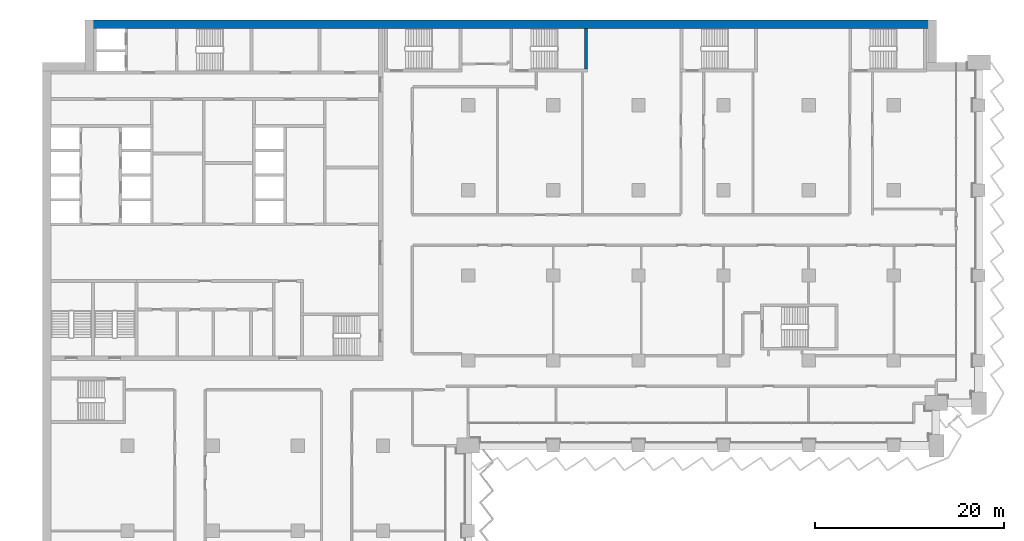
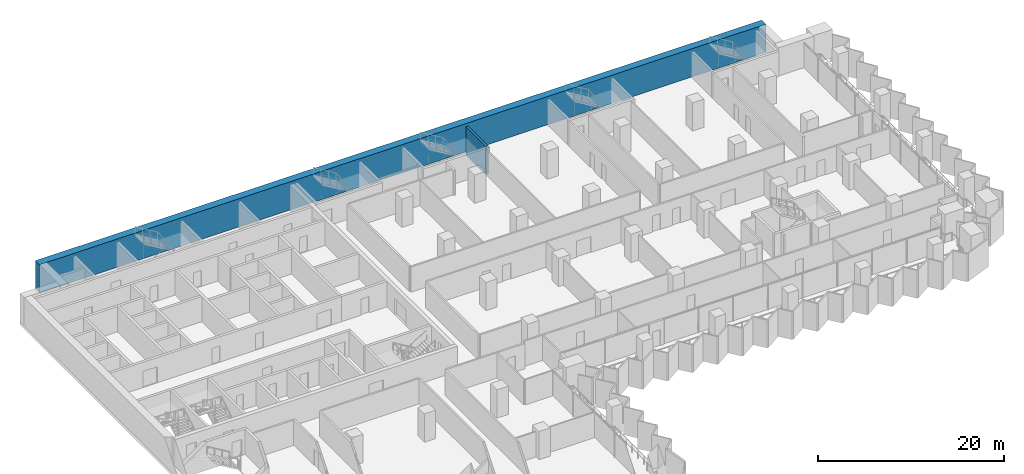
# One storey, part 18 of 29: 2 walls.
"""IFC4 building model written with IfcOpenShell, lengths in metres."""

from ifc_helpers import new_model, si_unit, direction, frame, frame_2d, origin, place, context, subcontext, project, spatial, rectangle, extrude, material, layer, layer_set, type_object, element, save


model = new_model("IFC4")

# Units and contexts
model_context = context("Model", 3, precision=1e-05, world=origin(), true_north=direction((0.0, 1.0)))
body_context = subcontext(model_context, "Body", "Model", "MODEL_VIEW")
ifc_project = project(units=[si_unit("LENGTHUNIT", "METRE"), si_unit("AREAUNIT", "SQUARE_METRE"), si_unit("VOLUMEUNIT", "CUBIC_METRE"), si_unit("PLANEANGLEUNIT", "RADIAN"), si_unit("MASSUNIT", "GRAM", prefix="KILO")], contexts=[model_context])

# Site, building, storey
site_placement = place(None, origin())
site = spatial("IfcSite", under=ifc_project, at=site_placement, CompositionType="ELEMENT")
building_placement = place(site_placement, origin())
building = spatial("IfcBuilding", under=site, at=building_placement, Name="Hunhe Ridgeline Campus", CompositionType="ELEMENT")
storey_placement = place(building_placement, frame((0.0, 0.0, 65.39990234375)))
storey = spatial("IfcBuildingStorey", under=building, at=storey_placement, Name="L15", CompositionType="ELEMENT", Elevation=65.39990234375)

# Walls
ifc_material = material(Name="Concrete C80", Category="concrete")
ifc_layer_1 = layer(ifc_material, 0.89990234375)
ifc_layer_set_1 = layer_set([ifc_layer_1], Name="Spine wall 900 Concrete C80")
wall_type_1 = type_object("IfcWallType", Name="Spine wall 900 Concrete C80", PredefinedType="SHEAR", material=ifc_layer_set_1)
wall_1_placement = place(storey_placement, frame((94.5, 98.550048828125, 0.0), z_axis=(0.0, 0.0, 1.0), x_axis=(-1.0, 0.0, 0.0)))
element("IfcWall", 1, at=wall_1_placement, inside=storey, type_object=wall_type_1, Name="Spine wall SW1-4 L15", PredefinedType="SHEAR", context=body_context, shape_type="SweptSolid", body=[
    extrude(rectangle(XDim=90.0, YDim=0.89990234375, at=frame_2d((45.0, 0.0))), origin(), (0.0, 0.0, 1.0), 3.7001953125),
])
ifc_layer_2 = layer(ifc_material, 0.300048828125)
ifc_layer_set_2 = layer_set([ifc_layer_2], Name="Stair wall 300 reinforced concrete C80")
wall_type_2 = type_object("IfcWallType", Name="Stair wall 300 reinforced concrete C80", PredefinedType="SOLIDWALL", material=ifc_layer_set_2)
wall_2_placement = place(storey_placement, frame((57.449951171875, 93.800048828125, -0.39990234375), z_axis=(0.0, 0.0, 1.0), x_axis=(0.0, 1.0, 0.0)))
element("IfcWall", 2, at=wall_2_placement, inside=storey, type_object=wall_type_2, Name="L15 core wall 68", PredefinedType="SOLIDWALL", context=body_context, shape_type="SweptSolid", body=[
    extrude(rectangle(XDim=4.300048828125, YDim=0.300048828125, at=frame_2d((2.14990234375, 0.0))), origin(), (0.0, 0.0, 1.0), 3.699951171875),
])

save(model, "model.ifc")
